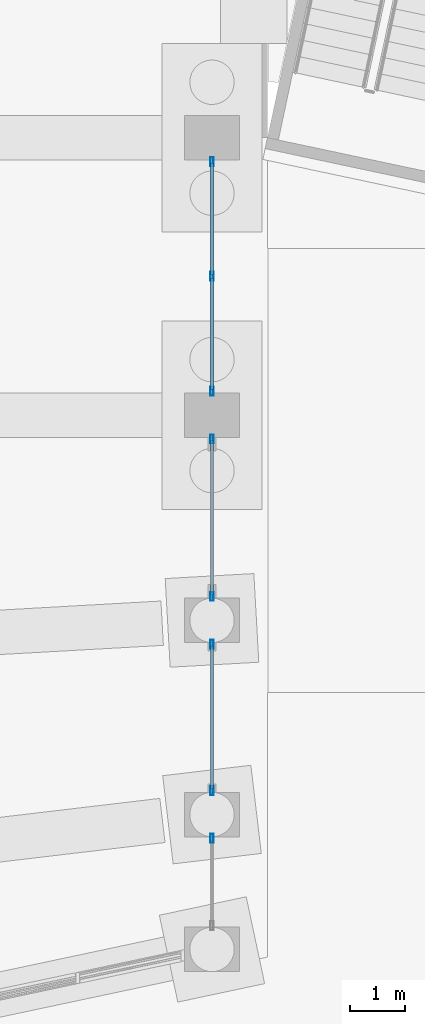
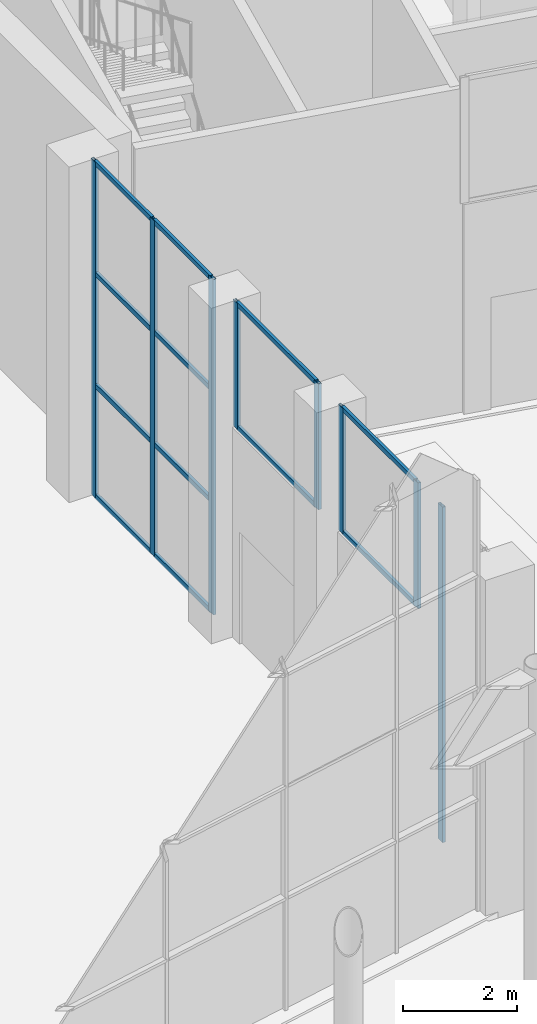
# One storey, part 113 of 239: 20 members, 4 elements without a shape of their own.
"""IFC4 building model written with IfcOpenShell, lengths in metres."""

from ifc_helpers import new_model, si_unit, direction, frame, origin, origin_2d, place, context, subcontext, project, spatial, hollow_rectangle, extrude, material, material_profile, profile_set, type_object, element, aggregate, save


model = new_model("IFC4")

# Units and contexts
model_context = context("Model", 3, precision=1e-05, world=origin(), true_north=direction((0.0, 1.0)))
body_context = subcontext(model_context, "Body", "Model", "MODEL_VIEW")
ifc_project = project(units=[si_unit("LENGTHUNIT", "METRE"), si_unit("AREAUNIT", "SQUARE_METRE"), si_unit("VOLUMEUNIT", "CUBIC_METRE"), si_unit("PLANEANGLEUNIT", "RADIAN"), si_unit("MASSUNIT", "GRAM", prefix="KILO")], contexts=[model_context])

# Site, building, storey
site_placement = place(None, origin())
site = spatial("IfcSite", under=ifc_project, at=site_placement, CompositionType="ELEMENT")
building_placement = place(site_placement, origin())
building = spatial("IfcBuilding", under=site, at=building_placement, Name="Okhra Congress Centre", CompositionType="ELEMENT")
storey_placement = place(building_placement, origin())
storey = spatial("IfcBuildingStorey", under=building, at=storey_placement, Name="L00", CompositionType="ELEMENT", Elevation=0.0)

# Curtain wall, member
ifc_material_1 = material(Name="Aluminium curtain wall, triple glazing", Category="aluminium")
curtain_wall_type = type_object("IfcCurtainWallType", Name="Curtain wall 2100 module", PredefinedType="NOTDEFINED", material=ifc_material_1)
curtain_wall_1_placement = place(storey_placement, origin())
curtain_wall_1 = element("IfcCurtainWall", 1, at=curtain_wall_1_placement, inside=storey, type_object=curtain_wall_type, Name="East bay 1 glazing", PredefinedType="NOTDEFINED")
ifc_material_2 = material(Name="Aluminium alloy EN AW-6063 T66", Category="aluminium")
ifc_material_profile_1 = material_profile(ifc_material_2, hollow_rectangle(XDim=0.06005859375, YDim=0.159912109375, WallThickness=0.00390625, at=origin_2d()), Name="RHS 60x160x4")
ifc_profile_set_1 = profile_set([ifc_material_profile_1], Name="Aluminium alloy EN AW-6063 T66")
member_type_1 = type_object("IfcMemberType", Name="Curtain wall mullion 60x160", PredefinedType="MULLION", material=ifc_profile_set_1)
member_1_placement = place(storey_placement, frame((189.0, 83.3701171875, 0.0), z_axis=(0.0, 0.0, 1.0), x_axis=(-1.0, 0.0, 0.0)))
member_1 = element("IfcMember", 2, at=member_1_placement, type_object=member_type_1, Name="CW4 mullion 2", PredefinedType="MULLION", context=body_context, shape_type="SweptSolid", body=[
    extrude(hollow_rectangle(XDim=0.06005859375, YDim=0.159912109375, WallThickness=0.00390625, at=origin_2d()), origin(), (0.0, 0.0, 1.0), 7.199951171875),
])
aggregate(curtain_wall_1, [member_1])

# Curtain wall, members
curtain_wall_2_placement = place(storey_placement, origin())
curtain_wall_2 = element("IfcCurtainWall", 3, at=curtain_wall_2_placement, inside=storey, type_object=curtain_wall_type, Name="East bay 2 glazing above the doors", PredefinedType="NOTDEFINED")
member_2_placement = place(storey_placement, frame((189.0, 84.22998046875, 4.5), z_axis=(0.0, 0.0, 1.0), x_axis=(-1.0, 0.0, 0.0)))
member_2 = element("IfcMember", 4, at=member_2_placement, type_object=member_type_1, Name="CW4 mullion 1", PredefinedType="MULLION", context=body_context, shape_type="SweptSolid", body=[
    extrude(hollow_rectangle(XDim=0.06005859375, YDim=0.159912109375, WallThickness=0.00390625, at=origin_2d()), origin(), (0.0, 0.0, 1.0), 2.699951171875),
])
member_3_placement = place(storey_placement, frame((189.0, 86.8701171875, 4.5), z_axis=(0.0, 0.0, 1.0), x_axis=(-1.0, 0.0, 0.0)))
member_3 = element("IfcMember", 5, at=member_3_placement, type_object=member_type_1, Name="CW4 mullion 2", PredefinedType="MULLION", context=body_context, shape_type="SweptSolid", body=[
    extrude(hollow_rectangle(XDim=0.06005859375, YDim=0.159912109375, WallThickness=0.00390625, at=origin_2d()), origin(), (0.0, 0.0, 1.0), 2.699951171875),
])

curtain_wall_3_placement = place(storey_placement, origin())
curtain_wall_3 = element("IfcCurtainWall", 6, at=curtain_wall_3_placement, inside=storey, type_object=curtain_wall_type, Name="East bay 3 glazing above the doors", PredefinedType="NOTDEFINED")
member_4_placement = place(storey_placement, frame((189.0, 87.72998046875, 4.5), z_axis=(0.0, 0.0, 1.0), x_axis=(-1.0, 0.0, 0.0)))
member_4 = element("IfcMember", 7, at=member_4_placement, type_object=member_type_1, Name="CW4 mullion 1", PredefinedType="MULLION", context=body_context, shape_type="SweptSolid", body=[
    extrude(hollow_rectangle(XDim=0.06005859375, YDim=0.159912109375, WallThickness=0.00390625, at=origin_2d()), origin(), (0.0, 0.0, 1.0), 2.699951171875),
])
member_5_placement = place(storey_placement, frame((189.0, 90.570068359375, 4.5), z_axis=(0.0, 0.0, 1.0), x_axis=(-1.0, 0.0, 0.0)))
member_5 = element("IfcMember", 8, at=member_5_placement, type_object=member_type_1, Name="CW4 mullion 2", PredefinedType="MULLION", context=body_context, shape_type="SweptSolid", body=[
    extrude(hollow_rectangle(XDim=0.06005859375, YDim=0.159912109375, WallThickness=0.00390625, at=origin_2d()), origin(), (0.0, 0.0, 1.0), 2.699951171875),
])

curtain_wall_4_placement = place(storey_placement, origin())
curtain_wall_4 = element("IfcCurtainWall", 9, at=curtain_wall_4_placement, inside=storey, type_object=curtain_wall_type, Name="East bay 4 glazing", PredefinedType="NOTDEFINED")
member_6_placement = place(storey_placement, frame((189.0, 91.429931640625, 0.0), z_axis=(0.0, 0.0, 1.0), x_axis=(-1.0, 0.0, 0.0)))
member_6 = element("IfcMember", 10, at=member_6_placement, type_object=member_type_1, Name="CW4 mullion 1", PredefinedType="MULLION", context=body_context, shape_type="SweptSolid", body=[
    extrude(hollow_rectangle(XDim=0.06005859375, YDim=0.159912109375, WallThickness=0.00390625, at=origin_2d()), origin(), (0.0, 0.0, 1.0), 7.199951171875),
])
member_7_placement = place(storey_placement, frame((189.0, 93.5, 0.0), z_axis=(0.0, 0.0, 1.0), x_axis=(-1.0, 0.0, 0.0)))
member_7 = element("IfcMember", 11, at=member_7_placement, type_object=member_type_1, Name="CW4 mullion 2", PredefinedType="MULLION", context=body_context, shape_type="SweptSolid", body=[
    extrude(hollow_rectangle(XDim=0.06005859375, YDim=0.159912109375, WallThickness=0.00390625, at=origin_2d()), origin(), (0.0, 0.0, 1.0), 7.199951171875),
])
member_8_placement = place(storey_placement, frame((189.0, 95.570068359375, 0.0), z_axis=(0.0, 0.0, 1.0), x_axis=(-1.0, 0.0, 0.0)))
member_8 = element("IfcMember", 12, at=member_8_placement, type_object=member_type_1, Name="CW4 mullion 3", PredefinedType="MULLION", context=body_context, shape_type="SweptSolid", body=[
    extrude(hollow_rectangle(XDim=0.06005859375, YDim=0.159912109375, WallThickness=0.00390625, at=origin_2d()), origin(), (0.0, 0.0, 1.0), 7.199951171875),
])

# Member
ifc_material_profile_2 = material_profile(ifc_material_2, hollow_rectangle(XDim=0.06005859375, YDim=0.10009765625, WallThickness=0.00390625, at=origin_2d()), Name="RHS 60x100x4")
ifc_profile_set_2 = profile_set([ifc_material_profile_2], Name="Aluminium alloy EN AW-6063 T66")
member_type_2 = type_object("IfcMemberType", Name="Curtain wall transom 60x100", PredefinedType="USERDEFINED", material=ifc_profile_set_2)
member_9_placement = place(storey_placement, frame((189.0, 84.260009765625, 4.530029296875), z_axis=(0.0, 1.0, 0.0), x_axis=(-1.0, 0.0, 0.0)))
member_9 = element("IfcMember", 13, at=member_9_placement, type_object=member_type_2, Name="CW4 transom 1.1", ObjectType="TRANSOM", PredefinedType="USERDEFINED", context=body_context, shape_type="SweptSolid", body=[
    extrude(hollow_rectangle(XDim=0.06005859375, YDim=0.10009765625, WallThickness=0.00390625, at=origin_2d()), origin(), (0.0, 0.0, 1.0), 2.580078125),
])

member_10_placement = place(storey_placement, frame((189.0, 84.260009765625, 7.169921875), z_axis=(0.0, 1.0, 0.0), x_axis=(-1.0, 0.0, 0.0)))
member_10 = element("IfcMember", 14, at=member_10_placement, type_object=member_type_2, Name="CW4 transom 1.2", ObjectType="TRANSOM", PredefinedType="USERDEFINED", context=body_context, shape_type="SweptSolid", body=[
    extrude(hollow_rectangle(XDim=0.06005859375, YDim=0.10009765625, WallThickness=0.00390625, at=origin_2d()), origin(), (0.0, 0.0, 1.0), 2.580078125),
])

aggregate(curtain_wall_2, [member_2, member_3, member_9, member_10])

member_11_placement = place(storey_placement, frame((189.0, 87.760009765625, 4.530029296875), z_axis=(0.0, 1.0, 0.0), x_axis=(-1.0, 0.0, 0.0)))
member_11 = element("IfcMember", 15, at=member_11_placement, type_object=member_type_2, Name="CW4 transom 1.1", ObjectType="TRANSOM", PredefinedType="USERDEFINED", context=body_context, shape_type="SweptSolid", body=[
    extrude(hollow_rectangle(XDim=0.06005859375, YDim=0.10009765625, WallThickness=0.00390625, at=origin_2d()), origin(), (0.0, 0.0, 1.0), 2.780029296875),
])

member_12_placement = place(storey_placement, frame((189.0, 87.760009765625, 7.169921875), z_axis=(0.0, 1.0, 0.0), x_axis=(-1.0, 0.0, 0.0)))
member_12 = element("IfcMember", 16, at=member_12_placement, type_object=member_type_2, Name="CW4 transom 1.2", ObjectType="TRANSOM", PredefinedType="USERDEFINED", context=body_context, shape_type="SweptSolid", body=[
    extrude(hollow_rectangle(XDim=0.06005859375, YDim=0.10009765625, WallThickness=0.00390625, at=origin_2d()), origin(), (0.0, 0.0, 1.0), 2.780029296875),
])

aggregate(curtain_wall_3, [member_4, member_5, member_11, member_12])

member_13_placement = place(storey_placement, frame((189.0, 91.4599609375, 0.030029296875), z_axis=(0.0, 1.0, 0.0), x_axis=(-1.0, 0.0, 0.0)))
member_13 = element("IfcMember", 17, at=member_13_placement, type_object=member_type_2, Name="CW4 transom 1.1", ObjectType="TRANSOM", PredefinedType="USERDEFINED", context=body_context, shape_type="SweptSolid", body=[
    extrude(hollow_rectangle(XDim=0.06005859375, YDim=0.10009765625, WallThickness=0.00390625, at=origin_2d()), origin(), (0.0, 0.0, 1.0), 2.010009765625),
])

member_14_placement = place(storey_placement, frame((189.0, 91.4599609375, 2.39990234375), z_axis=(0.0, 1.0, 0.0), x_axis=(-1.0, 0.0, 0.0)))
member_14 = element("IfcMember", 18, at=member_14_placement, type_object=member_type_2, Name="CW4 transom 1.2", ObjectType="TRANSOM", PredefinedType="USERDEFINED", context=body_context, shape_type="SweptSolid", body=[
    extrude(hollow_rectangle(XDim=0.06005859375, YDim=0.10009765625, WallThickness=0.00390625, at=origin_2d()), origin(), (0.0, 0.0, 1.0), 2.010009765625),
])

member_15_placement = place(storey_placement, frame((189.0, 91.4599609375, 4.800048828125), z_axis=(0.0, 1.0, 0.0), x_axis=(-1.0, 0.0, 0.0)))
member_15 = element("IfcMember", 19, at=member_15_placement, type_object=member_type_2, Name="CW4 transom 1.3", ObjectType="TRANSOM", PredefinedType="USERDEFINED", context=body_context, shape_type="SweptSolid", body=[
    extrude(hollow_rectangle(XDim=0.06005859375, YDim=0.10009765625, WallThickness=0.00390625, at=origin_2d()), origin(), (0.0, 0.0, 1.0), 2.010009765625),
])

member_16_placement = place(storey_placement, frame((189.0, 91.4599609375, 7.169921875), z_axis=(0.0, 1.0, 0.0), x_axis=(-1.0, 0.0, 0.0)))
member_16 = element("IfcMember", 20, at=member_16_placement, type_object=member_type_2, Name="CW4 transom 1.4", ObjectType="TRANSOM", PredefinedType="USERDEFINED", context=body_context, shape_type="SweptSolid", body=[
    extrude(hollow_rectangle(XDim=0.06005859375, YDim=0.10009765625, WallThickness=0.00390625, at=origin_2d()), origin(), (0.0, 0.0, 1.0), 2.010009765625),
])

member_17_placement = place(storey_placement, frame((189.0, 93.530029296875, 0.030029296875), z_axis=(0.0, 1.0, 0.0), x_axis=(-1.0, 0.0, 0.0)))
member_17 = element("IfcMember", 21, at=member_17_placement, type_object=member_type_2, Name="CW4 transom 2.1", ObjectType="TRANSOM", PredefinedType="USERDEFINED", context=body_context, shape_type="SweptSolid", body=[
    extrude(hollow_rectangle(XDim=0.06005859375, YDim=0.10009765625, WallThickness=0.00390625, at=origin_2d()), origin(), (0.0, 0.0, 1.0), 2.010009765625),
])

member_18_placement = place(storey_placement, frame((189.0, 93.530029296875, 2.39990234375), z_axis=(0.0, 1.0, 0.0), x_axis=(-1.0, 0.0, 0.0)))
member_18 = element("IfcMember", 22, at=member_18_placement, type_object=member_type_2, Name="CW4 transom 2.2", ObjectType="TRANSOM", PredefinedType="USERDEFINED", context=body_context, shape_type="SweptSolid", body=[
    extrude(hollow_rectangle(XDim=0.06005859375, YDim=0.10009765625, WallThickness=0.00390625, at=origin_2d()), origin(), (0.0, 0.0, 1.0), 2.010009765625),
])

member_19_placement = place(storey_placement, frame((189.0, 93.530029296875, 4.800048828125), z_axis=(0.0, 1.0, 0.0), x_axis=(-1.0, 0.0, 0.0)))
member_19 = element("IfcMember", 23, at=member_19_placement, type_object=member_type_2, Name="CW4 transom 2.3", ObjectType="TRANSOM", PredefinedType="USERDEFINED", context=body_context, shape_type="SweptSolid", body=[
    extrude(hollow_rectangle(XDim=0.06005859375, YDim=0.10009765625, WallThickness=0.00390625, at=origin_2d()), origin(), (0.0, 0.0, 1.0), 2.010009765625),
])

member_20_placement = place(storey_placement, frame((189.0, 93.530029296875, 7.169921875), z_axis=(0.0, 1.0, 0.0), x_axis=(-1.0, 0.0, 0.0)))
member_20 = element("IfcMember", 24, at=member_20_placement, type_object=member_type_2, Name="CW4 transom 2.4", ObjectType="TRANSOM", PredefinedType="USERDEFINED", context=body_context, shape_type="SweptSolid", body=[
    extrude(hollow_rectangle(XDim=0.06005859375, YDim=0.10009765625, WallThickness=0.00390625, at=origin_2d()), origin(), (0.0, 0.0, 1.0), 2.010009765625),
])

aggregate(curtain_wall_4, [member_6, member_7, member_8, member_13, member_14, member_15, member_16, member_17, member_18, member_19, member_20])

save(model, "model.ifc")
